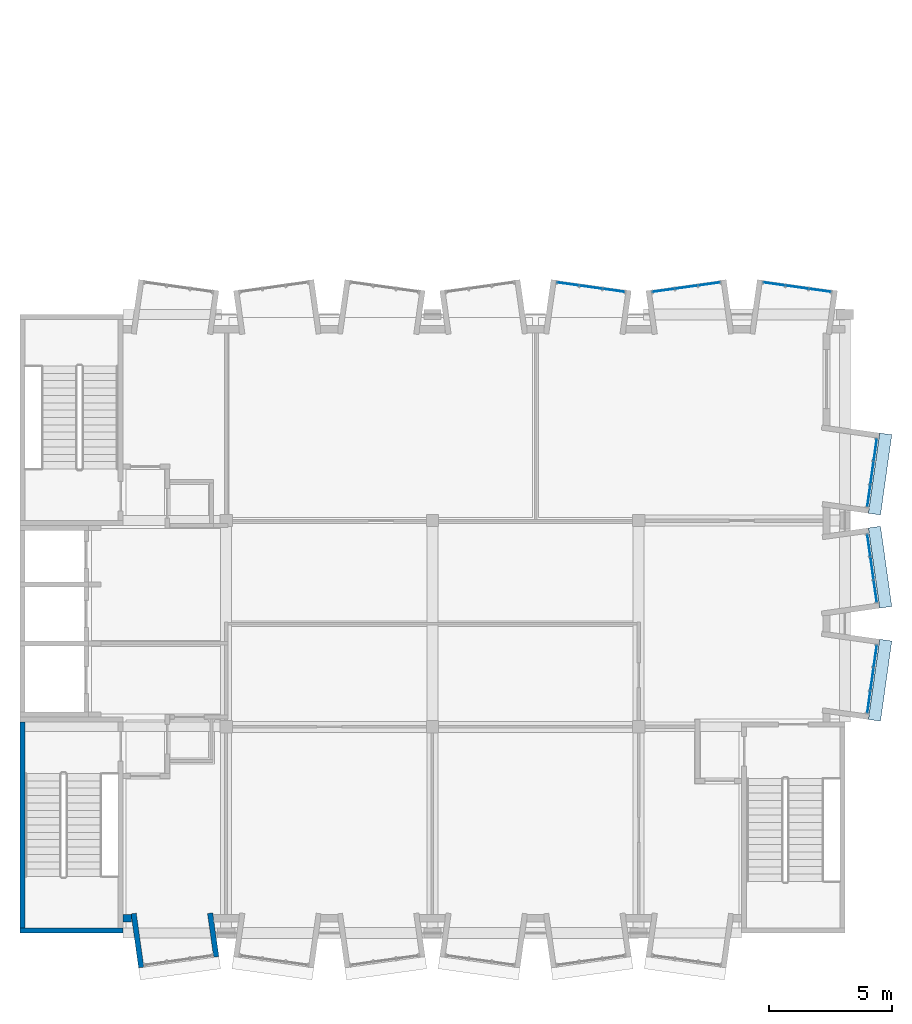
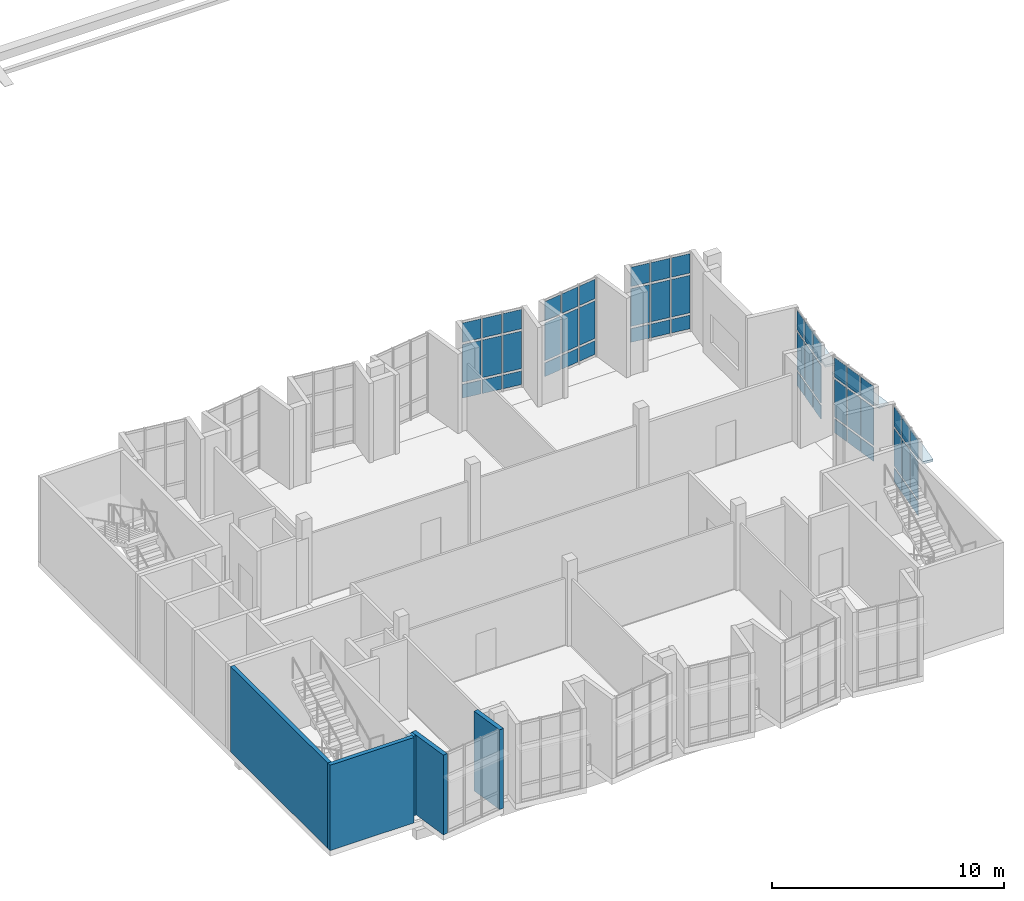
# One storey, part 10 of 18: 57 plates, 5 walls, 6 elements without a shape of their own.
"""IFC4 building model written with IfcOpenShell, lengths in metres."""

from ifc_helpers import new_model, si_unit, direction, frame, frame_2d, origin, origin_2d, place, context, subcontext, project, spatial, polyline, rectangle, outline, extrude, material, layer, layer_set, type_object, element, aggregate, save


model = new_model("IFC4")

# Units and contexts
model_context = context("Model", 3, precision=1e-05, world=origin(), true_north=direction((0.0, 1.0)))
body_context = subcontext(model_context, "Body", "Model", "MODEL_VIEW")
ifc_project = project(units=[si_unit("LENGTHUNIT", "METRE"), si_unit("AREAUNIT", "SQUARE_METRE"), si_unit("VOLUMEUNIT", "CUBIC_METRE"), si_unit("PLANEANGLEUNIT", "RADIAN"), si_unit("MASSUNIT", "GRAM", prefix="KILO")], contexts=[model_context])

# Site, building, storey
site_placement = place(None, origin())
site = spatial("IfcSite", under=ifc_project, at=site_placement, CompositionType="ELEMENT")
building_placement = place(site_placement, origin())
building = spatial("IfcBuilding", under=site, at=building_placement, Name="Kiln Court Media Centre", CompositionType="ELEMENT")
storey_placement = place(building_placement, frame((0.0, 0.0, 33.60009765625)))
storey = spatial("IfcBuildingStorey", under=building, at=storey_placement, Name="L07", CompositionType="ELEMENT", Elevation=33.60009765625)

# Plates
ifc_material_1 = material(Name="Concrete C30/37", Category="concrete")
ifc_layer_1 = layer(ifc_material_1, 0.1201171875)
ifc_layer_set_1 = layer_set([ifc_layer_1], Name="Concrete C30/37 sunshade hood 120")
plate_type_1 = type_object("IfcPlateType", Name="Concrete C30/37 sunshade hood 120", PredefinedType="USERDEFINED", material=ifc_layer_set_1)
plate_1_placement = place(storey_placement, frame((0.0, 0.0, 3.0)))
element("IfcPlate", 1, at=plate_1_placement, inside=storey, type_object=plate_type_1, Name="SUNSHADE V6A-E-L07-14", ObjectType="SUNSHADE", PredefinedType="USERDEFINED", context=body_context, shape_type="SweptSolid", body=[
    extrude(outline(polyline([(34.55859375, 8.698974609375), (35.01806640625, 11.966796875), (35.51318359375, 11.897216796875), (35.0537109375, 8.62939453125), (34.55859375, 8.698974609375)])), origin(), (0.0, 0.0, 1.0), 0.119873046875),
])
plate_2_placement = place(storey_placement, frame((0.0, 0.0, 3.0)))
element("IfcPlate", 2, at=plate_2_placement, inside=storey, type_object=plate_type_1, Name="SUNSHADE V6A-E-L07-15", ObjectType="SUNSHADE", PredefinedType="USERDEFINED", context=body_context, shape_type="SweptSolid", body=[
    extrude(outline(polyline([(35.01806640625, 13.233154296875), (34.55859375, 16.5009765625), (35.0537109375, 16.570556640625), (35.51318359375, 13.302734375), (35.01806640625, 13.233154296875)])), origin(), (0.0, 0.0, 1.0), 0.119873046875),
])
plate_3_placement = place(storey_placement, frame((0.0, 0.0, 3.0)))
element("IfcPlate", 3, at=plate_3_placement, inside=storey, type_object=plate_type_1, Name="SUNSHADE V6A-E-L07-16", ObjectType="SUNSHADE", PredefinedType="USERDEFINED", context=body_context, shape_type="SweptSolid", body=[
    extrude(outline(polyline([(34.55859375, 17.09912109375), (35.01806640625, 20.366943359375), (35.51318359375, 20.29736328125), (35.0537109375, 17.029541015625), (34.55859375, 17.09912109375)])), origin(), (0.0, 0.0, 1.0), 0.119873046875),
])

# Curtain wall, plates
ifc_material_2 = material(Name="Aluminium 6063-T6", Category="aluminium")
ifc_layer_2 = layer(ifc_material_2, 0.1201171875)
ifc_layer_set_2 = layer_set([ifc_layer_2], Name="Aluminium unitised bay curtain wall")
curtain_wall_type = type_object("IfcCurtainWallType", Name="Aluminium unitised bay curtain wall", PredefinedType="USERDEFINED", material=ifc_layer_set_2)
curtain_wall_1_placement = place(storey_placement, origin())
curtain_wall_1 = element("IfcCurtainWall", 4, at=curtain_wall_1_placement, inside=storey, type_object=curtain_wall_type, Name="BAY V6A-E-L07-14 front", ObjectType="UNITISED CURTAIN WALL", PredefinedType="USERDEFINED")
ifc_material_3 = material(Name="Aluminium insulated spandrel", Category="aluminium")
ifc_layer_3 = layer(ifc_material_3, 0.028076171875)
ifc_layer_set_3 = layer_set([ifc_layer_3], Name="Insulated spandrel panel 28")
plate_type_2 = type_object("IfcPlateType", Name="Insulated spandrel panel 28", PredefinedType="CURTAIN_PANEL", material=ifc_layer_set_3)
plate_4_placement = place(storey_placement, frame((34.578125, 9.41162109375, 0.1201171875), z_axis=(0.0, 0.0, 1.0), x_axis=(0.139162472554, 0.990269562409, 0.0)))
plate_4 = element("IfcPlate", 5, at=plate_4_placement, type_object=plate_type_2, Name="CW7-01 panel 1.1", PredefinedType="CURTAIN_PANEL", context=body_context, shape_type="SweptSolid", body=[
    extrude(rectangle(XDim=0.86669921875, YDim=0.028076171875, at=origin_2d()), origin(), (0.0, 0.0, 1.0), 0.719970703125),
])
plate_5_placement = place(storey_placement, frame((34.708984375, 10.34423828125, 0.1201171875), z_axis=(0.0, 0.0, 1.0), x_axis=(0.139162472554, 0.990269562409, 0.0)))
plate_5 = element("IfcPlate", 6, at=plate_5_placement, type_object=plate_type_2, Name="CW7-01 panel 2.1", PredefinedType="CURTAIN_PANEL", context=body_context, shape_type="SweptSolid", body=[
    extrude(rectangle(XDim=0.896728515625, YDim=0.028076171875, at=origin_2d()), origin(), (0.0, 0.0, 1.0), 0.719970703125),
])
plate_6_placement = place(storey_placement, frame((34.840087890625, 11.276611328125, 0.1201171875), z_axis=(0.0, 0.0, 1.0), x_axis=(0.139162472554, 0.990269562409, 0.0)))
plate_6 = element("IfcPlate", 7, at=plate_6_placement, type_object=plate_type_2, Name="CW7-01 panel 3.1", PredefinedType="CURTAIN_PANEL", context=body_context, shape_type="SweptSolid", body=[
    extrude(rectangle(XDim=0.86669921875, YDim=0.028076171875, at=origin_2d()), origin(), (0.0, 0.0, 1.0), 0.719970703125),
])

curtain_wall_2_placement = place(storey_placement, origin())
curtain_wall_2 = element("IfcCurtainWall", 8, at=curtain_wall_2_placement, inside=storey, type_object=curtain_wall_type, Name="BAY V6A-E-L07-15 front", ObjectType="UNITISED CURTAIN WALL", PredefinedType="USERDEFINED")
plate_7_placement = place(storey_placement, frame((34.840087890625, 13.92333984375, 0.1201171875), z_axis=(0.0, 0.0, 1.0), x_axis=(-0.139162472554, 0.990269562409, 0.0)))
plate_7 = element("IfcPlate", 9, at=plate_7_placement, type_object=plate_type_2, Name="CW7-02 panel 1.1", PredefinedType="CURTAIN_PANEL", context=body_context, shape_type="SweptSolid", body=[
    extrude(rectangle(XDim=0.86669921875, YDim=0.028076171875, at=origin_2d()), origin(), (0.0, 0.0, 1.0), 0.719970703125),
])
plate_8_placement = place(storey_placement, frame((34.708984375, 14.85595703125, 0.1201171875), z_axis=(0.0, 0.0, 1.0), x_axis=(-0.139162472554, 0.990269562409, 0.0)))
plate_8 = element("IfcPlate", 10, at=plate_8_placement, type_object=plate_type_2, Name="CW7-02 panel 2.1", PredefinedType="CURTAIN_PANEL", context=body_context, shape_type="SweptSolid", body=[
    extrude(rectangle(XDim=0.896728515625, YDim=0.028076171875, at=origin_2d()), origin(), (0.0, 0.0, 1.0), 0.719970703125),
])
plate_9_placement = place(storey_placement, frame((34.578125, 15.788330078125, 0.1201171875), z_axis=(0.0, 0.0, 1.0), x_axis=(-0.139162472554, 0.990269562409, 0.0)))
plate_9 = element("IfcPlate", 11, at=plate_9_placement, type_object=plate_type_2, Name="CW7-02 panel 3.1", PredefinedType="CURTAIN_PANEL", context=body_context, shape_type="SweptSolid", body=[
    extrude(rectangle(XDim=0.86669921875, YDim=0.028076171875, at=origin_2d()), origin(), (0.0, 0.0, 1.0), 0.719970703125),
])

curtain_wall_3_placement = place(storey_placement, origin())
curtain_wall_3 = element("IfcCurtainWall", 12, at=curtain_wall_3_placement, inside=storey, type_object=curtain_wall_type, Name="BAY V6A-E-L07-16 front", ObjectType="UNITISED CURTAIN WALL", PredefinedType="USERDEFINED")
plate_10_placement = place(storey_placement, frame((34.578125, 17.8115234375, 0.1201171875), z_axis=(0.0, 0.0, 1.0), x_axis=(0.139162472554, 0.990269562409, 0.0)))
plate_10 = element("IfcPlate", 13, at=plate_10_placement, type_object=plate_type_2, Name="CW7-03 panel 1.1", PredefinedType="CURTAIN_PANEL", context=body_context, shape_type="SweptSolid", body=[
    extrude(rectangle(XDim=0.86669921875, YDim=0.028076171875, at=origin_2d()), origin(), (0.0, 0.0, 1.0), 0.719970703125),
])
plate_11_placement = place(storey_placement, frame((34.708984375, 18.744140625, 0.1201171875), z_axis=(0.0, 0.0, 1.0), x_axis=(0.139162472554, 0.990269562409, 0.0)))
plate_11 = element("IfcPlate", 14, at=plate_11_placement, type_object=plate_type_2, Name="CW7-03 panel 2.1", PredefinedType="CURTAIN_PANEL", context=body_context, shape_type="SweptSolid", body=[
    extrude(rectangle(XDim=0.896728515625, YDim=0.028076171875, at=origin_2d()), origin(), (0.0, 0.0, 1.0), 0.719970703125),
])
plate_12_placement = place(storey_placement, frame((34.840087890625, 19.6767578125, 0.1201171875), z_axis=(0.0, 0.0, 1.0), x_axis=(0.139162472554, 0.990269562409, 0.0)))
plate_12 = element("IfcPlate", 15, at=plate_12_placement, type_object=plate_type_2, Name="CW7-03 panel 3.1", PredefinedType="CURTAIN_PANEL", context=body_context, shape_type="SweptSolid", body=[
    extrude(rectangle(XDim=0.86669921875, YDim=0.028076171875, at=origin_2d()), origin(), (0.0, 0.0, 1.0), 0.719970703125),
])

curtain_wall_4_placement = place(storey_placement, origin())
curtain_wall_4 = element("IfcCurtainWall", 16, at=curtain_wall_4_placement, inside=storey, type_object=curtain_wall_type, Name="BAY V6A-N-L07-49 front", ObjectType="UNITISED CURTAIN WALL", PredefinedType="USERDEFINED")
plate_13_placement = place(storey_placement, frame((22.3232421875, 26.440185546875, 0.1201171875), z_axis=(0.0, 0.0, 1.0), x_axis=(0.990269562409, -0.139162472554, 0.0)))
plate_13 = element("IfcPlate", 17, at=plate_13_placement, type_object=plate_type_2, Name="CW7-08 panel 1.1", PredefinedType="CURTAIN_PANEL", context=body_context, shape_type="SweptSolid", body=[
    extrude(rectangle(XDim=0.86669921875, YDim=0.028076171875, at=origin_2d()), origin(), (0.0, 0.0, 1.0), 0.719970703125),
])
plate_14_placement = place(storey_placement, frame((23.255859375, 26.30908203125, 0.1201171875), z_axis=(0.0, 0.0, 1.0), x_axis=(0.990269562409, -0.139162472554, 0.0)))
plate_14 = element("IfcPlate", 18, at=plate_14_placement, type_object=plate_type_2, Name="CW7-08 panel 2.1", PredefinedType="CURTAIN_PANEL", context=body_context, shape_type="SweptSolid", body=[
    extrude(rectangle(XDim=0.896728515625, YDim=0.028076171875, at=origin_2d()), origin(), (0.0, 0.0, 1.0), 0.719970703125),
])
plate_15_placement = place(storey_placement, frame((24.1884765625, 26.177978515625, 0.1201171875), z_axis=(0.0, 0.0, 1.0), x_axis=(0.990269562409, -0.139162472554, 0.0)))
plate_15 = element("IfcPlate", 19, at=plate_15_placement, type_object=plate_type_2, Name="CW7-08 panel 3.1", PredefinedType="CURTAIN_PANEL", context=body_context, shape_type="SweptSolid", body=[
    extrude(rectangle(XDim=0.86669921875, YDim=0.028076171875, at=origin_2d()), origin(), (0.0, 0.0, 1.0), 0.719970703125),
])

curtain_wall_5_placement = place(storey_placement, origin())
curtain_wall_5 = element("IfcCurtainWall", 20, at=curtain_wall_5_placement, inside=storey, type_object=curtain_wall_type, Name="BAY V6A-N-L07-50 front", ObjectType="UNITISED CURTAIN WALL", PredefinedType="USERDEFINED")
plate_16_placement = place(storey_placement, frame((26.211669921875, 26.177978515625, 0.1201171875), z_axis=(0.0, 0.0, 1.0), x_axis=(0.990269562409, 0.139162472554, 0.0)))
plate_16 = element("IfcPlate", 21, at=plate_16_placement, type_object=plate_type_2, Name="CW7-09 panel 1.1", PredefinedType="CURTAIN_PANEL", context=body_context, shape_type="SweptSolid", body=[
    extrude(rectangle(XDim=0.86669921875, YDim=0.028076171875, at=origin_2d()), origin(), (0.0, 0.0, 1.0), 0.719970703125),
])
plate_17_placement = place(storey_placement, frame((27.14404296875, 26.30908203125, 0.1201171875), z_axis=(0.0, 0.0, 1.0), x_axis=(0.990269562409, 0.139162472554, 0.0)))
plate_17 = element("IfcPlate", 22, at=plate_17_placement, type_object=plate_type_2, Name="CW7-09 panel 2.1", PredefinedType="CURTAIN_PANEL", context=body_context, shape_type="SweptSolid", body=[
    extrude(rectangle(XDim=0.896728515625, YDim=0.028076171875, at=origin_2d()), origin(), (0.0, 0.0, 1.0), 0.719970703125),
])
plate_18_placement = place(storey_placement, frame((28.07666015625, 26.440185546875, 0.1201171875), z_axis=(0.0, 0.0, 1.0), x_axis=(0.990269562409, 0.139162472554, 0.0)))
plate_18 = element("IfcPlate", 23, at=plate_18_placement, type_object=plate_type_2, Name="CW7-09 panel 3.1", PredefinedType="CURTAIN_PANEL", context=body_context, shape_type="SweptSolid", body=[
    extrude(rectangle(XDim=0.86669921875, YDim=0.028076171875, at=origin_2d()), origin(), (0.0, 0.0, 1.0), 0.719970703125),
])

curtain_wall_6_placement = place(storey_placement, origin())
curtain_wall_6 = element("IfcCurtainWall", 24, at=curtain_wall_6_placement, inside=storey, type_object=curtain_wall_type, Name="BAY V6A-N-L07-51 front", ObjectType="UNITISED CURTAIN WALL", PredefinedType="USERDEFINED")
plate_19_placement = place(storey_placement, frame((30.723388671875, 26.440185546875, 0.1201171875), z_axis=(0.0, 0.0, 1.0), x_axis=(0.990269562409, -0.139162472554, 0.0)))
plate_19 = element("IfcPlate", 25, at=plate_19_placement, type_object=plate_type_2, Name="CW7-10 panel 1.1", PredefinedType="CURTAIN_PANEL", context=body_context, shape_type="SweptSolid", body=[
    extrude(rectangle(XDim=0.86669921875, YDim=0.028076171875, at=origin_2d()), origin(), (0.0, 0.0, 1.0), 0.719970703125),
])
plate_20_placement = place(storey_placement, frame((31.65576171875, 26.30908203125, 0.1201171875), z_axis=(0.0, 0.0, 1.0), x_axis=(0.990269562409, -0.139162472554, 0.0)))
plate_20 = element("IfcPlate", 26, at=plate_20_placement, type_object=plate_type_2, Name="CW7-10 panel 2.1", PredefinedType="CURTAIN_PANEL", context=body_context, shape_type="SweptSolid", body=[
    extrude(rectangle(XDim=0.896728515625, YDim=0.028076171875, at=origin_2d()), origin(), (0.0, 0.0, 1.0), 0.719970703125),
])
plate_21_placement = place(storey_placement, frame((32.58837890625, 26.177978515625, 0.1201171875), z_axis=(0.0, 0.0, 1.0), x_axis=(0.990269562409, -0.139162472554, 0.0)))
plate_21 = element("IfcPlate", 27, at=plate_21_placement, type_object=plate_type_2, Name="CW7-10 panel 3.1", PredefinedType="CURTAIN_PANEL", context=body_context, shape_type="SweptSolid", body=[
    extrude(rectangle(XDim=0.86669921875, YDim=0.028076171875, at=origin_2d()), origin(), (0.0, 0.0, 1.0), 0.719970703125),
])

# Plate
ifc_material_4 = material(Name="Low-E double glazing", Category="glass")
ifc_layer_4 = layer(ifc_material_4, 0.028076171875)
ifc_layer_set_4 = layer_set([ifc_layer_4], Name="Low-E double glazed panel 28")
plate_type_3 = type_object("IfcPlateType", Name="Low-E double glazed panel 28", PredefinedType="CURTAIN_PANEL", material=ifc_layer_set_4)
plate_22_placement = place(storey_placement, frame((34.578125, 9.41162109375, 0.9599609375), z_axis=(0.0, 0.0, 1.0), x_axis=(0.139162472554, 0.990269562409, 0.0)))
plate_22 = element("IfcPlate", 28, at=plate_22_placement, type_object=plate_type_3, Name="CW7-01 panel 1.2", PredefinedType="CURTAIN_PANEL", context=body_context, shape_type="SweptSolid", body=[
    extrude(rectangle(XDim=0.86669921875, YDim=0.028076171875, at=origin_2d()), origin(), (0.0, 0.0, 1.0), 1.97998046875),
])

plate_23_placement = place(storey_placement, frame((34.578125, 9.41162109375, 3.059814453125), z_axis=(0.0, 0.0, 1.0), x_axis=(0.139162472554, 0.990269562409, 0.0)))
plate_23 = element("IfcPlate", 29, at=plate_23_placement, type_object=plate_type_3, Name="CW7-01 panel 1.3", PredefinedType="CURTAIN_PANEL", context=body_context, shape_type="SweptSolid", body=[
    extrude(rectangle(XDim=0.86669921875, YDim=0.028076171875, at=origin_2d()), origin(), (0.0, 0.0, 1.0), 1.02001953125),
])

plate_24_placement = place(storey_placement, frame((34.708984375, 10.34423828125, 0.9599609375), z_axis=(0.0, 0.0, 1.0), x_axis=(0.139162472554, 0.990269562409, 0.0)))
plate_24 = element("IfcPlate", 30, at=plate_24_placement, type_object=plate_type_3, Name="CW7-01 panel 2.2", PredefinedType="CURTAIN_PANEL", context=body_context, shape_type="SweptSolid", body=[
    extrude(rectangle(XDim=0.896728515625, YDim=0.028076171875, at=origin_2d()), origin(), (0.0, 0.0, 1.0), 1.97998046875),
])

plate_25_placement = place(storey_placement, frame((34.708984375, 10.34423828125, 3.059814453125), z_axis=(0.0, 0.0, 1.0), x_axis=(0.139162472554, 0.990269562409, 0.0)))
plate_25 = element("IfcPlate", 31, at=plate_25_placement, type_object=plate_type_3, Name="CW7-01 panel 2.3", PredefinedType="CURTAIN_PANEL", context=body_context, shape_type="SweptSolid", body=[
    extrude(rectangle(XDim=0.896728515625, YDim=0.028076171875, at=origin_2d()), origin(), (0.0, 0.0, 1.0), 1.02001953125),
])

plate_26_placement = place(storey_placement, frame((34.840087890625, 11.276611328125, 0.9599609375), z_axis=(0.0, 0.0, 1.0), x_axis=(0.139162472554, 0.990269562409, 0.0)))
plate_26 = element("IfcPlate", 32, at=plate_26_placement, type_object=plate_type_3, Name="CW7-01 panel 3.2", PredefinedType="CURTAIN_PANEL", context=body_context, shape_type="SweptSolid", body=[
    extrude(rectangle(XDim=0.86669921875, YDim=0.028076171875, at=origin_2d()), origin(), (0.0, 0.0, 1.0), 1.97998046875),
])

plate_27_placement = place(storey_placement, frame((34.840087890625, 11.276611328125, 3.059814453125), z_axis=(0.0, 0.0, 1.0), x_axis=(0.139162472554, 0.990269562409, 0.0)))
plate_27 = element("IfcPlate", 33, at=plate_27_placement, type_object=plate_type_3, Name="CW7-01 panel 3.3", PredefinedType="CURTAIN_PANEL", context=body_context, shape_type="SweptSolid", body=[
    extrude(rectangle(XDim=0.86669921875, YDim=0.028076171875, at=origin_2d()), origin(), (0.0, 0.0, 1.0), 1.02001953125),
])

aggregate(curtain_wall_1, [plate_4, plate_22, plate_23, plate_5, plate_24, plate_25, plate_6, plate_26, plate_27])

plate_28_placement = place(storey_placement, frame((34.840087890625, 13.92333984375, 0.9599609375), z_axis=(0.0, 0.0, 1.0), x_axis=(-0.139162472554, 0.990269562409, 0.0)))
plate_28 = element("IfcPlate", 34, at=plate_28_placement, type_object=plate_type_3, Name="CW7-02 panel 1.2", PredefinedType="CURTAIN_PANEL", context=body_context, shape_type="SweptSolid", body=[
    extrude(rectangle(XDim=0.86669921875, YDim=0.028076171875, at=origin_2d()), origin(), (0.0, 0.0, 1.0), 1.97998046875),
])

plate_29_placement = place(storey_placement, frame((34.840087890625, 13.92333984375, 3.059814453125), z_axis=(0.0, 0.0, 1.0), x_axis=(-0.139162472554, 0.990269562409, 0.0)))
plate_29 = element("IfcPlate", 35, at=plate_29_placement, type_object=plate_type_3, Name="CW7-02 panel 1.3", PredefinedType="CURTAIN_PANEL", context=body_context, shape_type="SweptSolid", body=[
    extrude(rectangle(XDim=0.86669921875, YDim=0.028076171875, at=origin_2d()), origin(), (0.0, 0.0, 1.0), 1.02001953125),
])

plate_30_placement = place(storey_placement, frame((34.708984375, 14.85595703125, 0.9599609375), z_axis=(0.0, 0.0, 1.0), x_axis=(-0.139162472554, 0.990269562409, 0.0)))
plate_30 = element("IfcPlate", 36, at=plate_30_placement, type_object=plate_type_3, Name="CW7-02 panel 2.2", PredefinedType="CURTAIN_PANEL", context=body_context, shape_type="SweptSolid", body=[
    extrude(rectangle(XDim=0.896728515625, YDim=0.028076171875, at=origin_2d()), origin(), (0.0, 0.0, 1.0), 1.97998046875),
])

plate_31_placement = place(storey_placement, frame((34.708984375, 14.85595703125, 3.059814453125), z_axis=(0.0, 0.0, 1.0), x_axis=(-0.139162472554, 0.990269562409, 0.0)))
plate_31 = element("IfcPlate", 37, at=plate_31_placement, type_object=plate_type_3, Name="CW7-02 panel 2.3", PredefinedType="CURTAIN_PANEL", context=body_context, shape_type="SweptSolid", body=[
    extrude(rectangle(XDim=0.896728515625, YDim=0.028076171875, at=origin_2d()), origin(), (0.0, 0.0, 1.0), 1.02001953125),
])

plate_32_placement = place(storey_placement, frame((34.578125, 15.788330078125, 0.9599609375), z_axis=(0.0, 0.0, 1.0), x_axis=(-0.139162472554, 0.990269562409, 0.0)))
plate_32 = element("IfcPlate", 38, at=plate_32_placement, type_object=plate_type_3, Name="CW7-02 panel 3.2", PredefinedType="CURTAIN_PANEL", context=body_context, shape_type="SweptSolid", body=[
    extrude(rectangle(XDim=0.86669921875, YDim=0.028076171875, at=origin_2d()), origin(), (0.0, 0.0, 1.0), 1.97998046875),
])

plate_33_placement = place(storey_placement, frame((34.578125, 15.788330078125, 3.059814453125), z_axis=(0.0, 0.0, 1.0), x_axis=(-0.139162472554, 0.990269562409, 0.0)))
plate_33 = element("IfcPlate", 39, at=plate_33_placement, type_object=plate_type_3, Name="CW7-02 panel 3.3", PredefinedType="CURTAIN_PANEL", context=body_context, shape_type="SweptSolid", body=[
    extrude(rectangle(XDim=0.86669921875, YDim=0.028076171875, at=origin_2d()), origin(), (0.0, 0.0, 1.0), 1.02001953125),
])

aggregate(curtain_wall_2, [plate_7, plate_28, plate_29, plate_8, plate_30, plate_31, plate_9, plate_32, plate_33])

plate_34_placement = place(storey_placement, frame((34.578125, 17.8115234375, 0.9599609375), z_axis=(0.0, 0.0, 1.0), x_axis=(0.139162472554, 0.990269562409, 0.0)))
plate_34 = element("IfcPlate", 40, at=plate_34_placement, type_object=plate_type_3, Name="CW7-03 panel 1.2", PredefinedType="CURTAIN_PANEL", context=body_context, shape_type="SweptSolid", body=[
    extrude(rectangle(XDim=0.86669921875, YDim=0.028076171875, at=origin_2d()), origin(), (0.0, 0.0, 1.0), 1.97998046875),
])

plate_35_placement = place(storey_placement, frame((34.578125, 17.8115234375, 3.059814453125), z_axis=(0.0, 0.0, 1.0), x_axis=(0.139162472554, 0.990269562409, 0.0)))
plate_35 = element("IfcPlate", 41, at=plate_35_placement, type_object=plate_type_3, Name="CW7-03 panel 1.3", PredefinedType="CURTAIN_PANEL", context=body_context, shape_type="SweptSolid", body=[
    extrude(rectangle(XDim=0.86669921875, YDim=0.028076171875, at=origin_2d()), origin(), (0.0, 0.0, 1.0), 1.02001953125),
])

plate_36_placement = place(storey_placement, frame((34.708984375, 18.744140625, 0.9599609375), z_axis=(0.0, 0.0, 1.0), x_axis=(0.139162472554, 0.990269562409, 0.0)))
plate_36 = element("IfcPlate", 42, at=plate_36_placement, type_object=plate_type_3, Name="CW7-03 panel 2.2", PredefinedType="CURTAIN_PANEL", context=body_context, shape_type="SweptSolid", body=[
    extrude(rectangle(XDim=0.896728515625, YDim=0.028076171875, at=origin_2d()), origin(), (0.0, 0.0, 1.0), 1.97998046875),
])

plate_37_placement = place(storey_placement, frame((34.708984375, 18.744140625, 3.059814453125), z_axis=(0.0, 0.0, 1.0), x_axis=(0.139162472554, 0.990269562409, 0.0)))
plate_37 = element("IfcPlate", 43, at=plate_37_placement, type_object=plate_type_3, Name="CW7-03 panel 2.3", PredefinedType="CURTAIN_PANEL", context=body_context, shape_type="SweptSolid", body=[
    extrude(rectangle(XDim=0.896728515625, YDim=0.028076171875, at=origin_2d()), origin(), (0.0, 0.0, 1.0), 1.02001953125),
])

plate_38_placement = place(storey_placement, frame((34.840087890625, 19.6767578125, 0.9599609375), z_axis=(0.0, 0.0, 1.0), x_axis=(0.139162472554, 0.990269562409, 0.0)))
plate_38 = element("IfcPlate", 44, at=plate_38_placement, type_object=plate_type_3, Name="CW7-03 panel 3.2", PredefinedType="CURTAIN_PANEL", context=body_context, shape_type="SweptSolid", body=[
    extrude(rectangle(XDim=0.86669921875, YDim=0.028076171875, at=origin_2d()), origin(), (0.0, 0.0, 1.0), 1.97998046875),
])

plate_39_placement = place(storey_placement, frame((34.840087890625, 19.6767578125, 3.059814453125), z_axis=(0.0, 0.0, 1.0), x_axis=(0.139162472554, 0.990269562409, 0.0)))
plate_39 = element("IfcPlate", 45, at=plate_39_placement, type_object=plate_type_3, Name="CW7-03 panel 3.3", PredefinedType="CURTAIN_PANEL", context=body_context, shape_type="SweptSolid", body=[
    extrude(rectangle(XDim=0.86669921875, YDim=0.028076171875, at=origin_2d()), origin(), (0.0, 0.0, 1.0), 1.02001953125),
])

aggregate(curtain_wall_3, [plate_10, plate_34, plate_35, plate_11, plate_36, plate_37, plate_12, plate_38, plate_39])

plate_40_placement = place(storey_placement, frame((22.3232421875, 26.440185546875, 0.9599609375), z_axis=(0.0, 0.0, 1.0), x_axis=(0.990269562409, -0.139162472554, 0.0)))
plate_40 = element("IfcPlate", 46, at=plate_40_placement, type_object=plate_type_3, Name="CW7-08 panel 1.2", PredefinedType="CURTAIN_PANEL", context=body_context, shape_type="SweptSolid", body=[
    extrude(rectangle(XDim=0.86669921875, YDim=0.028076171875, at=origin_2d()), origin(), (0.0, 0.0, 1.0), 1.97998046875),
])

plate_41_placement = place(storey_placement, frame((22.3232421875, 26.440185546875, 3.059814453125), z_axis=(0.0, 0.0, 1.0), x_axis=(0.990269562409, -0.139162472554, 0.0)))
plate_41 = element("IfcPlate", 47, at=plate_41_placement, type_object=plate_type_3, Name="CW7-08 panel 1.3", PredefinedType="CURTAIN_PANEL", context=body_context, shape_type="SweptSolid", body=[
    extrude(rectangle(XDim=0.86669921875, YDim=0.028076171875, at=origin_2d()), origin(), (0.0, 0.0, 1.0), 1.02001953125),
])

plate_42_placement = place(storey_placement, frame((23.255859375, 26.30908203125, 0.9599609375), z_axis=(0.0, 0.0, 1.0), x_axis=(0.990269562409, -0.139162472554, 0.0)))
plate_42 = element("IfcPlate", 48, at=plate_42_placement, type_object=plate_type_3, Name="CW7-08 panel 2.2", PredefinedType="CURTAIN_PANEL", context=body_context, shape_type="SweptSolid", body=[
    extrude(rectangle(XDim=0.896728515625, YDim=0.028076171875, at=origin_2d()), origin(), (0.0, 0.0, 1.0), 1.97998046875),
])

plate_43_placement = place(storey_placement, frame((23.255859375, 26.30908203125, 3.059814453125), z_axis=(0.0, 0.0, 1.0), x_axis=(0.990269562409, -0.139162472554, 0.0)))
plate_43 = element("IfcPlate", 49, at=plate_43_placement, type_object=plate_type_3, Name="CW7-08 panel 2.3", PredefinedType="CURTAIN_PANEL", context=body_context, shape_type="SweptSolid", body=[
    extrude(rectangle(XDim=0.896728515625, YDim=0.028076171875, at=origin_2d()), origin(), (0.0, 0.0, 1.0), 1.02001953125),
])

plate_44_placement = place(storey_placement, frame((24.1884765625, 26.177978515625, 0.9599609375), z_axis=(0.0, 0.0, 1.0), x_axis=(0.990269562409, -0.139162472554, 0.0)))
plate_44 = element("IfcPlate", 50, at=plate_44_placement, type_object=plate_type_3, Name="CW7-08 panel 3.2", PredefinedType="CURTAIN_PANEL", context=body_context, shape_type="SweptSolid", body=[
    extrude(rectangle(XDim=0.86669921875, YDim=0.028076171875, at=origin_2d()), origin(), (0.0, 0.0, 1.0), 1.97998046875),
])

plate_45_placement = place(storey_placement, frame((24.1884765625, 26.177978515625, 3.059814453125), z_axis=(0.0, 0.0, 1.0), x_axis=(0.990269562409, -0.139162472554, 0.0)))
plate_45 = element("IfcPlate", 51, at=plate_45_placement, type_object=plate_type_3, Name="CW7-08 panel 3.3", PredefinedType="CURTAIN_PANEL", context=body_context, shape_type="SweptSolid", body=[
    extrude(rectangle(XDim=0.86669921875, YDim=0.028076171875, at=origin_2d()), origin(), (0.0, 0.0, 1.0), 1.02001953125),
])

aggregate(curtain_wall_4, [plate_13, plate_40, plate_41, plate_14, plate_42, plate_43, plate_15, plate_44, plate_45])

plate_46_placement = place(storey_placement, frame((26.211669921875, 26.177978515625, 0.9599609375), z_axis=(0.0, 0.0, 1.0), x_axis=(0.990269562409, 0.139162472554, 0.0)))
plate_46 = element("IfcPlate", 52, at=plate_46_placement, type_object=plate_type_3, Name="CW7-09 panel 1.2", PredefinedType="CURTAIN_PANEL", context=body_context, shape_type="SweptSolid", body=[
    extrude(rectangle(XDim=0.86669921875, YDim=0.028076171875, at=origin_2d()), origin(), (0.0, 0.0, 1.0), 1.97998046875),
])

plate_47_placement = place(storey_placement, frame((26.211669921875, 26.177978515625, 3.059814453125), z_axis=(0.0, 0.0, 1.0), x_axis=(0.990269562409, 0.139162472554, 0.0)))
plate_47 = element("IfcPlate", 53, at=plate_47_placement, type_object=plate_type_3, Name="CW7-09 panel 1.3", PredefinedType="CURTAIN_PANEL", context=body_context, shape_type="SweptSolid", body=[
    extrude(rectangle(XDim=0.86669921875, YDim=0.028076171875, at=origin_2d()), origin(), (0.0, 0.0, 1.0), 1.02001953125),
])

plate_48_placement = place(storey_placement, frame((27.14404296875, 26.30908203125, 0.9599609375), z_axis=(0.0, 0.0, 1.0), x_axis=(0.990269562409, 0.139162472554, 0.0)))
plate_48 = element("IfcPlate", 54, at=plate_48_placement, type_object=plate_type_3, Name="CW7-09 panel 2.2", PredefinedType="CURTAIN_PANEL", context=body_context, shape_type="SweptSolid", body=[
    extrude(rectangle(XDim=0.896728515625, YDim=0.028076171875, at=origin_2d()), origin(), (0.0, 0.0, 1.0), 1.97998046875),
])

plate_49_placement = place(storey_placement, frame((27.14404296875, 26.30908203125, 3.059814453125), z_axis=(0.0, 0.0, 1.0), x_axis=(0.990269562409, 0.139162472554, 0.0)))
plate_49 = element("IfcPlate", 55, at=plate_49_placement, type_object=plate_type_3, Name="CW7-09 panel 2.3", PredefinedType="CURTAIN_PANEL", context=body_context, shape_type="SweptSolid", body=[
    extrude(rectangle(XDim=0.896728515625, YDim=0.028076171875, at=origin_2d()), origin(), (0.0, 0.0, 1.0), 1.02001953125),
])

plate_50_placement = place(storey_placement, frame((28.07666015625, 26.440185546875, 0.9599609375), z_axis=(0.0, 0.0, 1.0), x_axis=(0.990269562409, 0.139162472554, 0.0)))
plate_50 = element("IfcPlate", 56, at=plate_50_placement, type_object=plate_type_3, Name="CW7-09 panel 3.2", PredefinedType="CURTAIN_PANEL", context=body_context, shape_type="SweptSolid", body=[
    extrude(rectangle(XDim=0.86669921875, YDim=0.028076171875, at=origin_2d()), origin(), (0.0, 0.0, 1.0), 1.97998046875),
])

plate_51_placement = place(storey_placement, frame((28.07666015625, 26.440185546875, 3.059814453125), z_axis=(0.0, 0.0, 1.0), x_axis=(0.990269562409, 0.139162472554, 0.0)))
plate_51 = element("IfcPlate", 57, at=plate_51_placement, type_object=plate_type_3, Name="CW7-09 panel 3.3", PredefinedType="CURTAIN_PANEL", context=body_context, shape_type="SweptSolid", body=[
    extrude(rectangle(XDim=0.86669921875, YDim=0.028076171875, at=origin_2d()), origin(), (0.0, 0.0, 1.0), 1.02001953125),
])

aggregate(curtain_wall_5, [plate_16, plate_46, plate_47, plate_17, plate_48, plate_49, plate_18, plate_50, plate_51])

plate_52_placement = place(storey_placement, frame((30.723388671875, 26.440185546875, 0.9599609375), z_axis=(0.0, 0.0, 1.0), x_axis=(0.990269562409, -0.139162472554, 0.0)))
plate_52 = element("IfcPlate", 58, at=plate_52_placement, type_object=plate_type_3, Name="CW7-10 panel 1.2", PredefinedType="CURTAIN_PANEL", context=body_context, shape_type="SweptSolid", body=[
    extrude(rectangle(XDim=0.86669921875, YDim=0.028076171875, at=origin_2d()), origin(), (0.0, 0.0, 1.0), 1.97998046875),
])

plate_53_placement = place(storey_placement, frame((30.723388671875, 26.440185546875, 3.059814453125), z_axis=(0.0, 0.0, 1.0), x_axis=(0.990269562409, -0.139162472554, 0.0)))
plate_53 = element("IfcPlate", 59, at=plate_53_placement, type_object=plate_type_3, Name="CW7-10 panel 1.3", PredefinedType="CURTAIN_PANEL", context=body_context, shape_type="SweptSolid", body=[
    extrude(rectangle(XDim=0.86669921875, YDim=0.028076171875, at=origin_2d()), origin(), (0.0, 0.0, 1.0), 1.02001953125),
])

plate_54_placement = place(storey_placement, frame((31.65576171875, 26.30908203125, 0.9599609375), z_axis=(0.0, 0.0, 1.0), x_axis=(0.990269562409, -0.139162472554, 0.0)))
plate_54 = element("IfcPlate", 60, at=plate_54_placement, type_object=plate_type_3, Name="CW7-10 panel 2.2", PredefinedType="CURTAIN_PANEL", context=body_context, shape_type="SweptSolid", body=[
    extrude(rectangle(XDim=0.896728515625, YDim=0.028076171875, at=origin_2d()), origin(), (0.0, 0.0, 1.0), 1.97998046875),
])

plate_55_placement = place(storey_placement, frame((31.65576171875, 26.30908203125, 3.059814453125), z_axis=(0.0, 0.0, 1.0), x_axis=(0.990269562409, -0.139162472554, 0.0)))
plate_55 = element("IfcPlate", 61, at=plate_55_placement, type_object=plate_type_3, Name="CW7-10 panel 2.3", PredefinedType="CURTAIN_PANEL", context=body_context, shape_type="SweptSolid", body=[
    extrude(rectangle(XDim=0.896728515625, YDim=0.028076171875, at=origin_2d()), origin(), (0.0, 0.0, 1.0), 1.02001953125),
])

plate_56_placement = place(storey_placement, frame((32.58837890625, 26.177978515625, 0.9599609375), z_axis=(0.0, 0.0, 1.0), x_axis=(0.990269562409, -0.139162472554, 0.0)))
plate_56 = element("IfcPlate", 62, at=plate_56_placement, type_object=plate_type_3, Name="CW7-10 panel 3.2", PredefinedType="CURTAIN_PANEL", context=body_context, shape_type="SweptSolid", body=[
    extrude(rectangle(XDim=0.86669921875, YDim=0.028076171875, at=origin_2d()), origin(), (0.0, 0.0, 1.0), 1.97998046875),
])

plate_57_placement = place(storey_placement, frame((32.58837890625, 26.177978515625, 3.059814453125), z_axis=(0.0, 0.0, 1.0), x_axis=(0.990269562409, -0.139162472554, 0.0)))
plate_57 = element("IfcPlate", 63, at=plate_57_placement, type_object=plate_type_3, Name="CW7-10 panel 3.3", PredefinedType="CURTAIN_PANEL", context=body_context, shape_type="SweptSolid", body=[
    extrude(rectangle(XDim=0.86669921875, YDim=0.028076171875, at=origin_2d()), origin(), (0.0, 0.0, 1.0), 1.02001953125),
])

aggregate(curtain_wall_6, [plate_19, plate_52, plate_53, plate_20, plate_54, plate_55, plate_21, plate_56, plate_57])

# Walls
ifc_material_5 = material(Name="Brick masonry facing leaf with RC backing", Category="masonry")
ifc_layer_5 = layer(ifc_material_5, 0.215087890625)
ifc_layer_set_5 = layer_set([ifc_layer_5], Name="Brick masonry bay cheek wall 215")
wall_type_1 = type_object("IfcWallType", Name="Brick masonry bay cheek wall 215", PredefinedType="SOLIDWALL", material=ifc_layer_set_5)
wall_1_placement = place(storey_placement, frame((4.630615234375, 0.794921875, 0.0), z_axis=(0.0, 0.0, 1.0), x_axis=(0.139141913905, -0.990272451295, 0.0)))
element("IfcWall", 64, at=wall_1_placement, inside=storey, type_object=wall_type_1, Name="BAY V6A-S-L07-47 cheek L", PredefinedType="SOLIDWALL", context=body_context, shape_type="SweptSolid", body=[
    extrude(rectangle(XDim=2.219482421875, YDim=0.215087890625, at=frame_2d((1.10986328125, 0.0))), origin(), (0.0, 0.0, 1.0), 4.199951171875),
])
wall_2_placement = place(storey_placement, frame((7.743896484375, 0.808837890625, 0.0), z_axis=(0.0, 0.0, 1.0), x_axis=(0.139161311926, -0.990269725511, 0.0)))
element("IfcWall", 65, at=wall_2_placement, inside=storey, type_object=wall_type_1, Name="BAY V6A-S-L07-47 cheek R", PredefinedType="SOLIDWALL", context=body_context, shape_type="SweptSolid", body=[
    extrude(rectangle(XDim=1.800048828125, YDim=0.215087890625, at=frame_2d((0.89990234375, 0.0))), origin(), (0.0, 0.0, 1.0), 4.199951171875),
])
ifc_material_6 = material(Name="Brick masonry facing leaf with RC backing", Category="masonry")
ifc_layer_6 = layer(ifc_material_6, 0.300048828125)
ifc_layer_set_6 = layer_set([ifc_layer_6], Name="Brick masonry cavity wall 300")
wall_type_2 = type_object("IfcWallType", Name="Brick masonry cavity wall 300", PredefinedType="SOLIDWALL", material=ifc_layer_set_6)
wall_3_placement = place(storey_placement, frame((4.549560546875, 0.60009765625, 0.0), z_axis=(0.0, 0.0, 1.0), x_axis=(-1.0, 0.0, 0.0)))
element("IfcWall", 66, at=wall_3_placement, inside=storey, type_object=wall_type_2, Name="V6A-S facade L07 3044", PredefinedType="SOLIDWALL", context=body_context, shape_type="SweptSolid", body=[
    extrude(rectangle(XDim=0.349365234375, YDim=0.300048828125, at=frame_2d((0.1748046875, 0.0))), origin(), (0.0, 0.0, 1.0), 4.199951171875),
])
ifc_material_7 = material(Name="Concrete C40/50", Category="concrete")
ifc_layer_7 = layer(ifc_material_7, 0.199951171875)
ifc_layer_set_7 = layer_set([ifc_layer_7], Name="Concrete C40/50 shear wall 200")
wall_type_3 = type_object("IfcWallType", Name="Concrete C40/50 shear wall 200", PredefinedType="SHEAR", material=ifc_layer_set_7)
wall_4_placement = place(storey_placement, frame((4.199951171875, 0.10009765625, 0.0), z_axis=(0.0, 0.0, 1.0), x_axis=(-1.0, 0.0, 0.0)))
element("IfcWall", 67, at=wall_4_placement, inside=storey, type_object=wall_type_3, Name="L07-W-1000", PredefinedType="SHEAR", context=body_context, shape_type="SweptSolid", body=[
    extrude(rectangle(XDim=4.199462890625, YDim=0.199951171875, at=frame_2d((2.099609375, 0.0))), origin(), (0.0, 0.0, 1.0), 4.5),
])
wall_5_placement = place(storey_placement, frame((0.100341796875, 0.199951171875, 0.0), z_axis=(0.0, 0.0, 1.0), x_axis=(0.0, 1.0, 0.0)))
element("IfcWall", 68, at=wall_5_placement, inside=storey, type_object=wall_type_3, Name="L07-W-1002", PredefinedType="SHEAR", context=body_context, shape_type="SweptSolid", body=[
    extrude(rectangle(XDim=8.400146484375, YDim=0.199951171875, at=frame_2d((4.2001953125, 0.0))), origin(), (0.0, 0.0, 1.0), 4.5),
])

save(model, "model.ifc")
